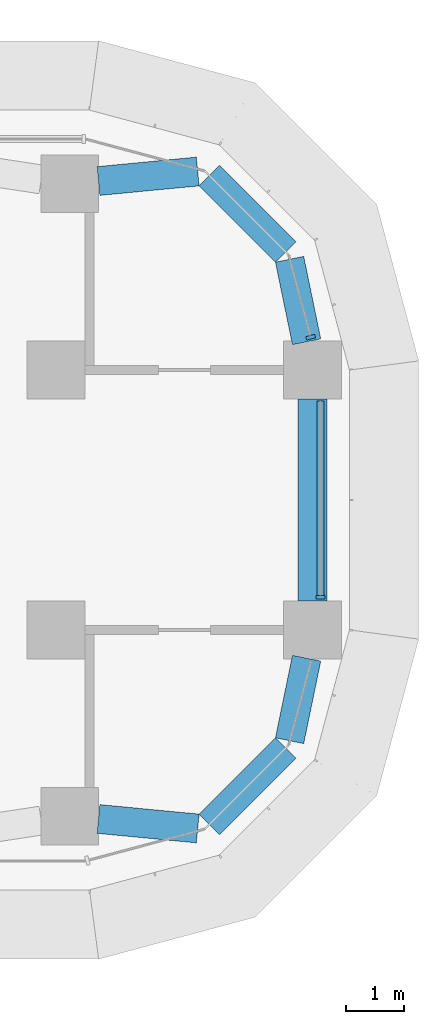
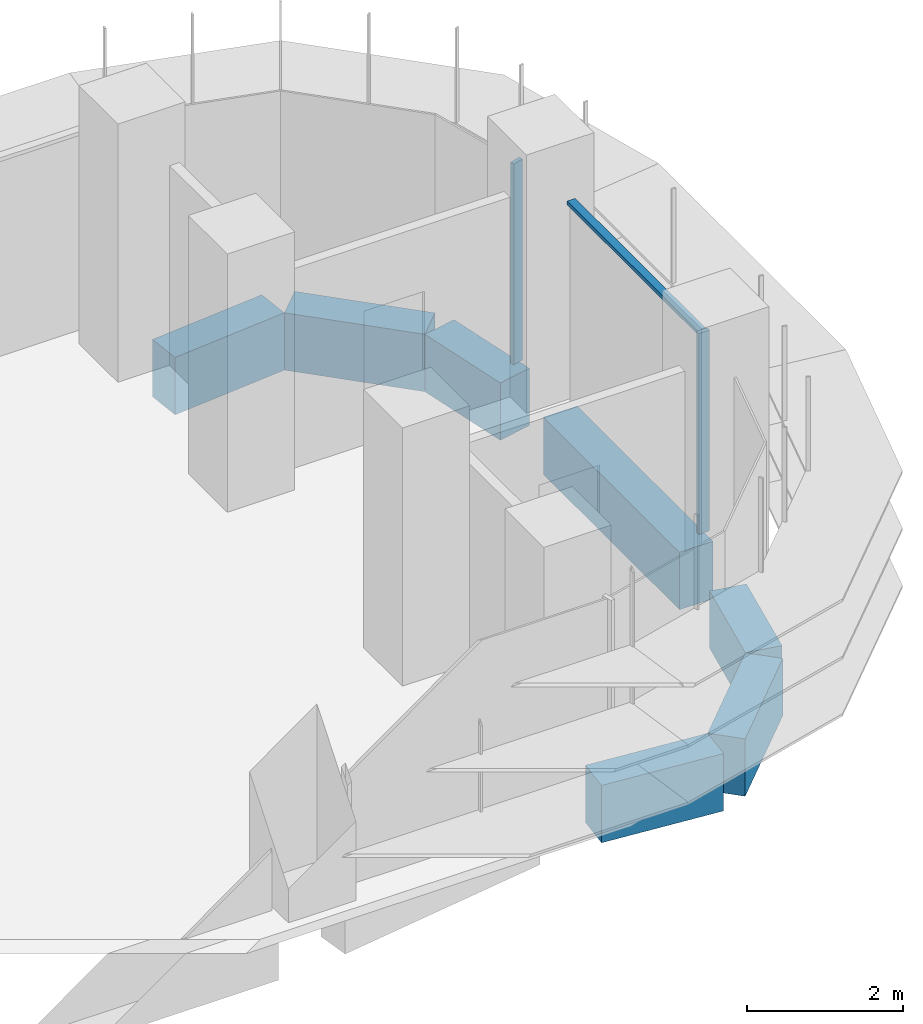
# One storey, part 11 of 23: 7 beams, 3 members, 2 elements without a shape of their own.
"""IFC4 building model written with IfcOpenShell, lengths in metres."""

from ifc_helpers import new_model, si_unit, direction, frame, origin, origin_2d, place, context, subcontext, project, spatial, polyline, rectangle, outline, extrude, source, transform, mapped, material, material_profile, profile_set, type_object, element, aggregate, save


model = new_model("IFC4")

# Units and contexts
model_context = context("Model", 3, precision=1e-05, world=origin(), true_north=direction((0.0, 1.0)))
body_context = subcontext(model_context, "Body", "Model", "MODEL_VIEW")
ifc_project = project(units=[si_unit("LENGTHUNIT", "METRE"), si_unit("AREAUNIT", "SQUARE_METRE"), si_unit("VOLUMEUNIT", "CUBIC_METRE"), si_unit("PLANEANGLEUNIT", "RADIAN"), si_unit("MASSUNIT", "GRAM", prefix="KILO")], contexts=[model_context])

# Site, building, storey
site_placement = place(None, origin())
site = spatial("IfcSite", under=ifc_project, at=site_placement, CompositionType="ELEMENT")
building_placement = place(site_placement, origin())
building = spatial("IfcBuilding", under=site, at=building_placement, Name="Zarbagh Exchange Tower", CompositionType="ELEMENT")
storey_placement = place(building_placement, frame((0.0, 0.0, 64.800048828125)))
storey = spatial("IfcBuildingStorey", under=building, at=storey_placement, Name="L14", CompositionType="ELEMENT", Elevation=64.800048828125)

# Beams
ifc_material_1 = material(Name="Concrete C60/75", Category="concrete")
ifc_material_profile = material_profile(ifc_material_1, rectangle(XDim=0.5, YDim=0.89990234375, at=origin_2d()), Name="RC spandrel beam 500 x 900 C60/75")
ifc_profile_set = profile_set([ifc_material_profile], Name="Concrete C60/75")
beam_type = type_object("IfcBeamType", Name="RC spandrel beam 500 x 900 C60/75", PredefinedType="SPANDREL", material=ifc_profile_set)
beam_1_placement = place(storey_placement, frame((29.40576171875, 5.522705078125, -0.60009765625), z_axis=(0.995431032456, 0.095483294999, 0.0), x_axis=(-0.095483294999, 0.995431032456, 0.0)))
element("IfcBeam", 1, at=beam_1_placement, inside=storey, type_object=beam_type, Name="RC spandrel beam", PredefinedType="SPANDREL", context=body_context, shape_type="SweptSolid", body=[
    extrude(rectangle(XDim=0.5, YDim=0.89990234375, at=origin_2d()), origin(), (0.0, 0.0, 1.0), 1.725830078125),
])
beam_2_placement = place(storey_placement, frame((31.324462890625, 5.615478515625, -0.60009765625), z_axis=(0.707172099812, -0.707041456527, 0.0), x_axis=(0.707041456527, 0.707172099812, 0.0)))
element("IfcBeam", 2, at=beam_2_placement, inside=storey, type_object=beam_type, Name="RC spandrel beam", PredefinedType="SPANDREL", context=body_context, shape_type="SweptSolid", body=[
    extrude(rectangle(XDim=0.5, YDim=0.89990234375, at=origin_2d()), origin(), (0.0, 0.0, 1.0), 1.86865234375),
])
beam_3_placement = place(storey_placement, frame((32.714111328125, 4.16796875, -0.60009765625), z_axis=(0.202068589164, -0.9793713725, 0.0), x_axis=(0.9793713725, 0.202068589164, 0.0)))
element("IfcBeam", 3, at=beam_3_placement, inside=storey, type_object=beam_type, Name="RC spandrel beam", PredefinedType="SPANDREL", context=body_context, shape_type="SweptSolid", body=[
    extrude(rectangle(XDim=0.5, YDim=0.89990234375, at=origin_2d()), origin(), (0.0, 0.0, 1.0), 1.458251953125),
])
beam_4_placement = place(storey_placement, frame((33.110107421875, 1.75, -0.60009765625), z_axis=(0.0, -1.0, 0.0), x_axis=(1.0, 0.0, 0.0)))
element("IfcBeam", 4, at=beam_4_placement, inside=storey, type_object=beam_type, Name="RC spandrel beam", PredefinedType="SPANDREL", context=body_context, shape_type="SweptSolid", body=[
    extrude(rectangle(XDim=0.5, YDim=0.89990234375, at=origin_2d()), origin(), (0.0, 0.0, 1.0), 3.5),
])
beam_5_placement = place(storey_placement, frame((33.0087890625, -2.73974609375, -0.60009765625), z_axis=(-0.202068589164, -0.9793713725, 0.0), x_axis=(0.9793713725, -0.202068589164, 0.0)))
element("IfcBeam", 5, at=beam_5_placement, inside=storey, type_object=beam_type, Name="RC spandrel beam", PredefinedType="SPANDREL", context=body_context, shape_type="SweptSolid", body=[
    extrude(rectangle(XDim=0.5, YDim=0.89990234375, at=origin_2d()), origin(), (0.0, 0.0, 1.0), 1.458251953125),
])
beam_6_placement = place(storey_placement, frame((32.64599609375, -4.294189453125, -0.60009765625), z_axis=(-0.707172099812, -0.707041456527, 0.0), x_axis=(0.707041456527, -0.707172099812, 0.0)))
element("IfcBeam", 6, at=beam_6_placement, inside=storey, type_object=beam_type, Name="RC spandrel beam", PredefinedType="SPANDREL", context=body_context, shape_type="SweptSolid", body=[
    extrude(rectangle(XDim=0.5, YDim=0.89990234375, at=origin_2d()), origin(), (0.0, 0.0, 1.0), 1.86865234375),
])
beam_7_placement = place(storey_placement, frame((31.123779296875, -5.6875, -0.60009765625), z_axis=(-0.995431032456, 0.095483294999, 0.0), x_axis=(-0.095483294999, -0.995431032456, 0.0)))
element("IfcBeam", 7, at=beam_7_placement, inside=storey, type_object=beam_type, Name="RC spandrel beam", PredefinedType="SPANDREL", context=body_context, shape_type="SweptSolid", body=[
    extrude(rectangle(XDim=0.5, YDim=0.89990234375, at=origin_2d()), origin(), (0.0, 0.0, 1.0), 1.725830078125),
])

# Curtain wall, member
ifc_material_2 = material(Name="Anodised aluminium frame and glazing", Category="aluminium")
curtain_wall_type = type_object("IfcCurtainWallType", Name="CWA Ribbon glazing, lower zones", PredefinedType="NOTDEFINED", material=ifc_material_2)
curtain_wall_1_placement = place(storey_placement, origin())
curtain_wall_1 = element("IfcCurtainWall", 8, at=curtain_wall_1_placement, inside=storey, type_object=curtain_wall_type, Name="CWA12 curtain wall", PredefinedType="NOTDEFINED")
ifc_material_3 = material(Name="Anodised aluminium frame", Category="aluminium")
member_type_1 = type_object("IfcMemberType", Name="MUA Mullion, anodised aluminium frame", PredefinedType="MULLION", material=ifc_material_3)
shared_shape_1 = source(origin(), body_context, "Body", "SweptSolid", [
    extrude(outline(polyline([(0.0, -0.080078125), (0.06005859375, -0.080078125), (0.06005859375, 0.080078125), (0.0, 0.080078125), (0.0, -0.080078125)])), origin(), (0.0, 0.0, 1.0), 3.14990234375),
])
placement = place(storey_placement, origin())
member_1 = element("IfcMember", 9, at=placement, type_object=member_type_1, Name="CWA12 mullion 1.1", PredefinedType="MULLION", context=body_context, shape_type="MappedRepresentation", body=[
    mapped(shared_shape_1, transform((33.25, -1.7099609375, 0.0), x_axis=(0.0, 1.0, 0.0), y_axis=(-1.0, 0.0, 0.0), z_axis=(0.0, 0.0, 1.0))),
])

curtain_wall_2_placement = place(storey_placement, origin())
curtain_wall_2 = element("IfcCurtainWall", 10, at=curtain_wall_2_placement, inside=storey, type_object=curtain_wall_type, Name="CWA13 curtain wall", PredefinedType="NOTDEFINED")
member_2 = element("IfcMember", 11, at=placement, type_object=member_type_1, Name="CWA13 mullion 1.1", PredefinedType="MULLION", context=body_context, shape_type="MappedRepresentation", body=[
    mapped(shared_shape_1, transform((33.087646484375, 2.7900390625, 0.0), x_axis=(-0.258824779902, 0.965924289636, 0.0), y_axis=(-0.965924289636, -0.258824779902, 0.0), z_axis=(0.0, 0.0, 1.0))),
])
aggregate(curtain_wall_2, [member_2])

# Member
member_type_2 = type_object("IfcMemberType", Name="TRA Transom, anodised aluminium frame", PredefinedType="USERDEFINED", material=ifc_material_3)
shared_shape_2 = source(origin(), body_context, "Body", "SweptSolid", [
    extrude(outline(polyline([(-0.06005859375, -0.06005859375), (0.0, -0.06005859375), (0.0, 0.06005859375), (-0.06005859375, 0.06005859375), (-0.06005859375, -0.06005859375)])), origin(), (0.0, 0.0, 1.0), 3.360107421875),
])
member_3 = element("IfcMember", 12, at=placement, type_object=member_type_2, Name="CWA12 transom 1.1", ObjectType="TRANSOM", PredefinedType="USERDEFINED", context=body_context, shape_type="MappedRepresentation", body=[
    mapped(shared_shape_2, transform((33.25, -1.64990234375, 3.14990234375), x_axis=(0.0, 0.0, 1.0), y_axis=(1.0, 0.0, 0.0), z_axis=(0.0, 1.0, 0.0))),
])

aggregate(curtain_wall_1, [member_1, member_3])

save(model, "model.ifc")
